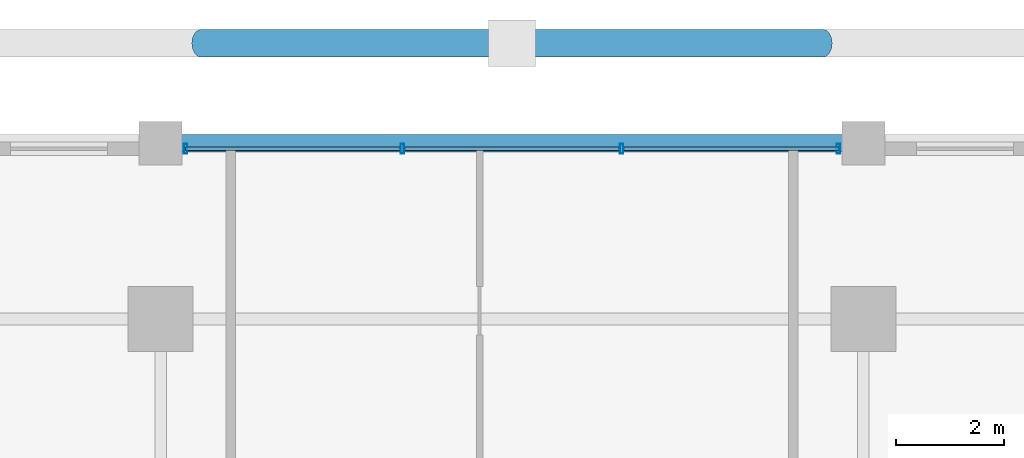
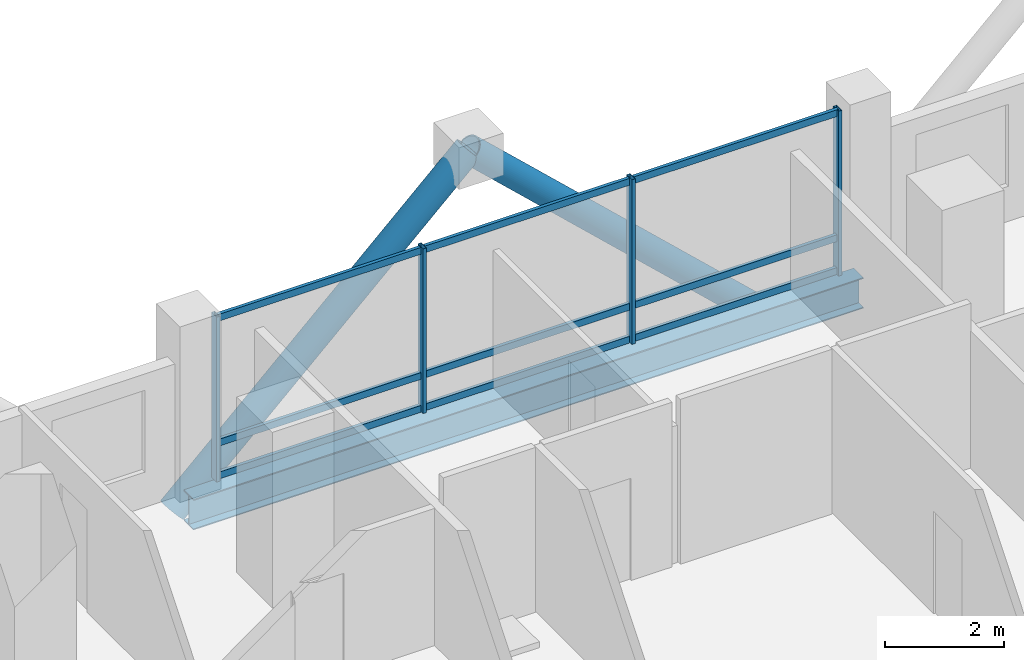
# One storey, part 13 of 22: 15 members, 1 beam, 1 element without a shape of its own.
"""IFC4 building model written with IfcOpenShell, lengths in metres."""

from ifc_helpers import new_model, si_unit, direction, frame, origin, origin_2d, place, context, subcontext, project, spatial, hollow_rectangle, hollow_circle, i_section, extrude, material, layer, layer_set, material_profile, profile_set, type_object, element, aggregate, save


model = new_model("IFC4")

# Units and contexts
model_context = context("Model", 3, precision=1e-05, world=origin(), true_north=direction((0.0, 1.0)))
body_context = subcontext(model_context, "Body", "Model", "MODEL_VIEW")
ifc_project = project(units=[si_unit("LENGTHUNIT", "METRE"), si_unit("AREAUNIT", "SQUARE_METRE"), si_unit("VOLUMEUNIT", "CUBIC_METRE"), si_unit("PLANEANGLEUNIT", "RADIAN"), si_unit("MASSUNIT", "GRAM", prefix="KILO")], contexts=[model_context])

# Site, building, storey
site_placement = place(None, origin())
site = spatial("IfcSite", under=ifc_project, at=site_placement, CompositionType="ELEMENT")
building_placement = place(site_placement, origin())
building = spatial("IfcBuilding", under=site, at=building_placement, Name="Barlavira Tower and Art Museum", CompositionType="ELEMENT")
storey_placement = place(building_placement, frame((0.0, 0.0, 106.199951171875)))
storey = spatial("IfcBuildingStorey", under=building, at=storey_placement, Name="L26", CompositionType="ELEMENT", Elevation=106.199951171875)

# Curtain wall, members
ifc_material_1 = material(Name="Low-iron coastal laminated glass", Category="glass")
ifc_layer = layer(ifc_material_1, 0.18994140625, Name="Low-iron coastal laminated glass")
ifc_layer_set = layer_set([ifc_layer], Name="Low-iron coastal laminated glass")
curtain_wall_type = type_object("IfcCurtainWallType", Name="Pale-Metal Unitised Curtain Wall Zone 2", PredefinedType="NOTDEFINED", material=ifc_layer_set)
curtain_wall_placement = place(storey_placement, origin())
curtain_wall = element("IfcCurtainWall", 1, at=curtain_wall_placement, inside=storey, type_object=curtain_wall_type, Name="L26 Curtain Wall CW2-L26-N-B3", PredefinedType="NOTDEFINED")
ifc_material_2 = material(Name="Pale anodised aluminium", Category="aluminium")
ifc_material_profile_1 = material_profile(ifc_material_2, hollow_rectangle(XDim=0.06494140625, YDim=0.179931640625, WallThickness=0.00390625, at=origin_2d()), Name="ALU-MULL 65x180x4")
ifc_profile_set_1 = profile_set([ifc_material_profile_1], Name="Pale anodised aluminium")
member_type_1 = type_object("IfcMemberType", Name="Curtain Wall Pale-Metal Mullion 65x180", PredefinedType="MULLION", material=ifc_profile_set_1)
member_1_placement = place(storey_placement, frame((6.034912109375, 23.14990234375, 0.0), z_axis=(0.0, 0.0, 1.0), x_axis=(-1.0, 0.0, 0.0)))
member_1 = element("IfcMember", 2, at=member_1_placement, type_object=member_type_1, Name="CW2-L26-N-B3 Mullion 0", PredefinedType="MULLION", context=body_context, shape_type="SweptSolid", body=[
    extrude(hollow_rectangle(XDim=0.06494140625, YDim=0.179931640625, WallThickness=0.00390625, at=origin_2d()), origin(), (0.0, 0.0, 1.0), 3.380126953125),
])
member_2_placement = place(storey_placement, frame((2.026611328125, 23.14990234375, 0.0), z_axis=(0.0, 0.0, 1.0), x_axis=(-1.0, 0.0, 0.0)))
member_2 = element("IfcMember", 3, at=member_2_placement, type_object=member_type_1, Name="CW2-L26-N-B3 Mullion 1", PredefinedType="MULLION", context=body_context, shape_type="SweptSolid", body=[
    extrude(hollow_rectangle(XDim=0.06494140625, YDim=0.179931640625, WallThickness=0.00390625, at=origin_2d()), origin(), (0.0, 0.0, 1.0), 3.380126953125),
])
member_3_placement = place(storey_placement, frame((-2.026611328125, 23.14990234375, 0.0), z_axis=(0.0, 0.0, 1.0), x_axis=(-1.0, 0.0, 0.0)))
member_3 = element("IfcMember", 4, at=member_3_placement, type_object=member_type_1, Name="CW2-L26-N-B3 Mullion 2", PredefinedType="MULLION", context=body_context, shape_type="SweptSolid", body=[
    extrude(hollow_rectangle(XDim=0.06494140625, YDim=0.179931640625, WallThickness=0.00390625, at=origin_2d()), origin(), (0.0, 0.0, 1.0), 3.380126953125),
])
member_4_placement = place(storey_placement, frame((-6.034912109375, 23.14990234375, 0.0), z_axis=(0.0, 0.0, 1.0), x_axis=(-1.0, 0.0, 0.0)))
member_4 = element("IfcMember", 5, at=member_4_placement, type_object=member_type_1, Name="CW2-L26-N-B3 Mullion 3", PredefinedType="MULLION", context=body_context, shape_type="SweptSolid", body=[
    extrude(hollow_rectangle(XDim=0.06494140625, YDim=0.179931640625, WallThickness=0.00390625, at=origin_2d()), origin(), (0.0, 0.0, 1.0), 3.380126953125),
])
ifc_material_profile_2 = material_profile(ifc_material_2, hollow_rectangle(XDim=0.06494140625, YDim=0.139892578125, WallThickness=0.00390625, at=origin_2d()), Name="ALU-TRAN 65x140x4")
ifc_profile_set_2 = profile_set([ifc_material_profile_2], Name="Pale anodised aluminium")
member_type_2 = type_object("IfcMemberType", Name="Curtain Wall Pale-Metal Transom 65x140", PredefinedType="USERDEFINED", material=ifc_profile_set_2)
member_5_placement = place(storey_placement, frame((6.034912109375, 23.14990234375, 0.070068359375), z_axis=(-1.0, 0.0, 0.0), x_axis=(0.0, -1.0, 0.0)))
member_5 = element("IfcMember", 6, at=member_5_placement, type_object=member_type_2, Name="CW2-L26-N-B3 Transom 0.1", ObjectType="TRANSOM", PredefinedType="USERDEFINED", context=body_context, shape_type="SweptSolid", body=[
    extrude(hollow_rectangle(XDim=0.06494140625, YDim=0.139892578125, WallThickness=0.00390625, at=origin_2d()), origin(), (0.0, 0.0, 1.0), 3.963134765625),
])
member_6_placement = place(storey_placement, frame((6.034912109375, 23.14990234375, 0.744140625), z_axis=(-1.0, 0.0, 0.0), x_axis=(0.0, -1.0, 0.0)))
member_6 = element("IfcMember", 7, at=member_6_placement, type_object=member_type_2, Name="CW2-L26-N-B3 Transom 0.2", ObjectType="TRANSOM", PredefinedType="USERDEFINED", context=body_context, shape_type="SweptSolid", body=[
    extrude(hollow_rectangle(XDim=0.06494140625, YDim=0.139892578125, WallThickness=0.00390625, at=origin_2d()), origin(), (0.0, 0.0, 1.0), 3.963134765625),
])
member_7_placement = place(storey_placement, frame((6.034912109375, 23.14990234375, 3.31005859375), z_axis=(-1.0, 0.0, 0.0), x_axis=(0.0, -1.0, 0.0)))
member_7 = element("IfcMember", 8, at=member_7_placement, type_object=member_type_2, Name="CW2-L26-N-B3 Transom 0.3", ObjectType="TRANSOM", PredefinedType="USERDEFINED", context=body_context, shape_type="SweptSolid", body=[
    extrude(hollow_rectangle(XDim=0.06494140625, YDim=0.139892578125, WallThickness=0.00390625, at=origin_2d()), origin(), (0.0, 0.0, 1.0), 3.963134765625),
])
member_8_placement = place(storey_placement, frame((1.981689453125, 23.14990234375, 0.070068359375), z_axis=(-1.0, 0.0, 0.0), x_axis=(0.0, -1.0, 0.0)))
member_8 = element("IfcMember", 9, at=member_8_placement, type_object=member_type_2, Name="CW2-L26-N-B3 Transom 1.1", ObjectType="TRANSOM", PredefinedType="USERDEFINED", context=body_context, shape_type="SweptSolid", body=[
    extrude(hollow_rectangle(XDim=0.06494140625, YDim=0.139892578125, WallThickness=0.00390625, at=origin_2d()), origin(), (0.0, 0.0, 1.0), 3.96337890625),
])
member_9_placement = place(storey_placement, frame((1.981689453125, 23.14990234375, 0.744140625), z_axis=(-1.0, 0.0, 0.0), x_axis=(0.0, -1.0, 0.0)))
member_9 = element("IfcMember", 10, at=member_9_placement, type_object=member_type_2, Name="CW2-L26-N-B3 Transom 1.2", ObjectType="TRANSOM", PredefinedType="USERDEFINED", context=body_context, shape_type="SweptSolid", body=[
    extrude(hollow_rectangle(XDim=0.06494140625, YDim=0.139892578125, WallThickness=0.00390625, at=origin_2d()), origin(), (0.0, 0.0, 1.0), 3.96337890625),
])
member_10_placement = place(storey_placement, frame((1.981689453125, 23.14990234375, 3.31005859375), z_axis=(-1.0, 0.0, 0.0), x_axis=(0.0, -1.0, 0.0)))
member_10 = element("IfcMember", 11, at=member_10_placement, type_object=member_type_2, Name="CW2-L26-N-B3 Transom 1.3", ObjectType="TRANSOM", PredefinedType="USERDEFINED", context=body_context, shape_type="SweptSolid", body=[
    extrude(hollow_rectangle(XDim=0.06494140625, YDim=0.139892578125, WallThickness=0.00390625, at=origin_2d()), origin(), (0.0, 0.0, 1.0), 3.96337890625),
])
member_11_placement = place(storey_placement, frame((-2.07177734375, 23.14990234375, 0.070068359375), z_axis=(-1.0, 0.0, 0.0), x_axis=(0.0, -1.0, 0.0)))
member_11 = element("IfcMember", 12, at=member_11_placement, type_object=member_type_2, Name="CW2-L26-N-B3 Transom 2.1", ObjectType="TRANSOM", PredefinedType="USERDEFINED", context=body_context, shape_type="SweptSolid", body=[
    extrude(hollow_rectangle(XDim=0.06494140625, YDim=0.139892578125, WallThickness=0.00390625, at=origin_2d()), origin(), (0.0, 0.0, 1.0), 3.963134765625),
])
member_12_placement = place(storey_placement, frame((-2.07177734375, 23.14990234375, 0.744140625), z_axis=(-1.0, 0.0, 0.0), x_axis=(0.0, -1.0, 0.0)))
member_12 = element("IfcMember", 13, at=member_12_placement, type_object=member_type_2, Name="CW2-L26-N-B3 Transom 2.2", ObjectType="TRANSOM", PredefinedType="USERDEFINED", context=body_context, shape_type="SweptSolid", body=[
    extrude(hollow_rectangle(XDim=0.06494140625, YDim=0.139892578125, WallThickness=0.00390625, at=origin_2d()), origin(), (0.0, 0.0, 1.0), 3.963134765625),
])
member_13_placement = place(storey_placement, frame((-2.07177734375, 23.14990234375, 3.31005859375), z_axis=(-1.0, 0.0, 0.0), x_axis=(0.0, -1.0, 0.0)))
member_13 = element("IfcMember", 14, at=member_13_placement, type_object=member_type_2, Name="CW2-L26-N-B3 Transom 2.3", ObjectType="TRANSOM", PredefinedType="USERDEFINED", context=body_context, shape_type="SweptSolid", body=[
    extrude(hollow_rectangle(XDim=0.06494140625, YDim=0.139892578125, WallThickness=0.00390625, at=origin_2d()), origin(), (0.0, 0.0, 1.0), 3.963134765625),
])
aggregate(curtain_wall, [member_1, member_2, member_3, member_4, member_5, member_6, member_7, member_8, member_9, member_10, member_11, member_12, member_13])

# Members
ifc_material_3 = material(Name="Steel S355", Category="steel")
ifc_material_profile_3 = material_profile(ifc_material_3, hollow_circle(Radius=0.25390625, WallThickness=0.022216796875, at=origin_2d()), Name="CHS 508.0x22.2")
ifc_profile_set_3 = profile_set([ifc_material_profile_3], Name="Steel S355")
member_type_3 = type_object("IfcMemberType", Name="Pale-Metal Exoskeleton Diagrid Tube CHS 508x22 Steel S355", PredefinedType="BRACE", material=ifc_profile_set_3)
for number, where, z_axis, x_axis, name in (
    (15, (-5.75, 25.10009765625, -1.919921875), (0.728950095515, 0.0, 0.684566839869), (0.0, 1.0, 0.0), "L26 Exoskeleton Diagrid Tube N"),
    (16, (5.75, 25.10009765625, -1.919921875), (-0.728950095515, 0.0, 0.684566839869), (0.0, -1.0, 0.0), "L26 Exoskeleton Diagrid Tube N"),
):
    element("IfcMember", number, at=place(storey_placement, frame(where, z_axis=z_axis, x_axis=x_axis)), inside=storey, type_object=member_type_3, Name=name, PredefinedType="BRACE", context=body_context, shape_type="SweptSolid", body=[
        extrude(hollow_circle(Radius=0.25390625, WallThickness=0.022216796875, at=origin_2d()), origin(), (0.0, 0.0, 1.0), 7.887939453125),
    ])

# Beam
ifc_material_profile_4 = material_profile(ifc_material_3, i_section(OverallWidth=0.327880859375, OverallDepth=0.62890625, WebThickness=0.013916015625, FlangeThickness=0.021484375, at=origin_2d()), Name="W610x174.0")
ifc_profile_set_4 = profile_set([ifc_material_profile_4], Name="Steel S355")
beam_type = type_object("IfcBeamType", Name="Perimeter Spandrel Edge Beam W610x174 Steel S355", PredefinedType="SPANDREL", material=ifc_profile_set_4)
beam_placement = place(storey_placement, frame((-6.5, 23.25, -0.534423828125), z_axis=(1.0, 0.0, 0.0), x_axis=(0.0, 1.0, 0.0)))
element("IfcBeam", 17, at=beam_placement, inside=storey, type_object=beam_type, Name="L26 Spandrel 10", PredefinedType="SPANDREL", context=body_context, shape_type="SweptSolid", body=[
    extrude(i_section(OverallWidth=0.327880859375, OverallDepth=0.62890625, WebThickness=0.013916015625, FlangeThickness=0.021484375, at=origin_2d()), origin(), (0.0, 0.0, 1.0), 13.0),
])

save(model, "model.ifc")
